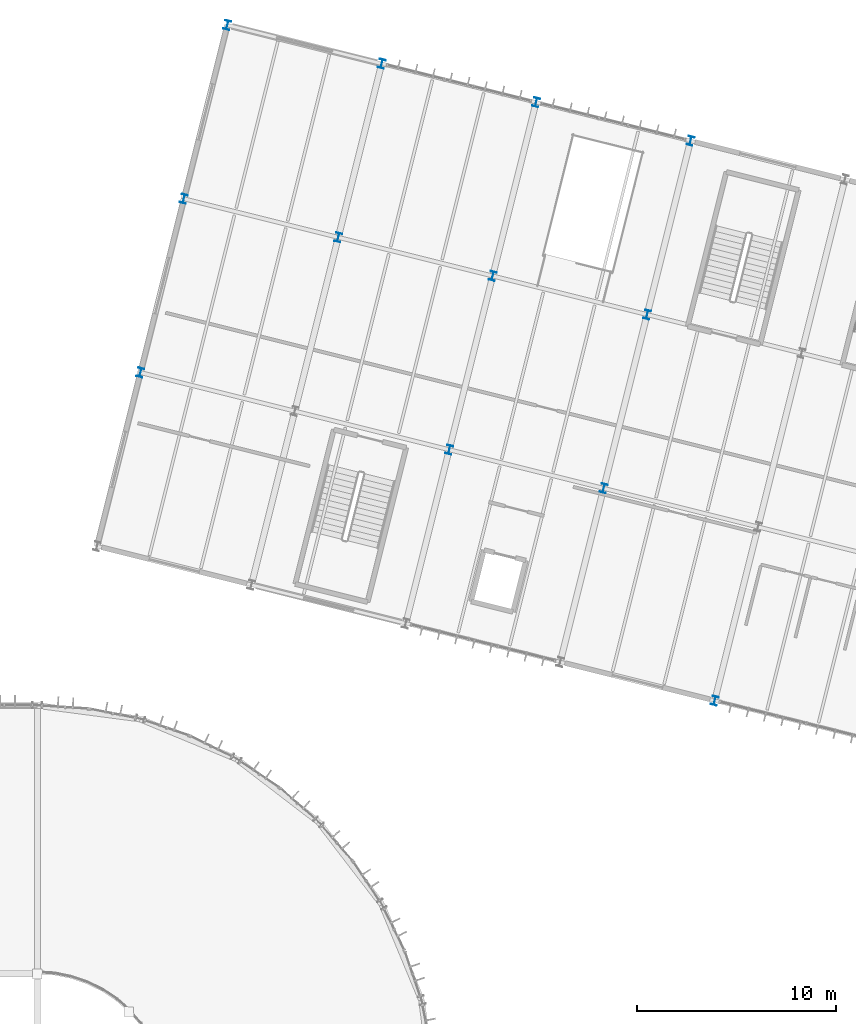
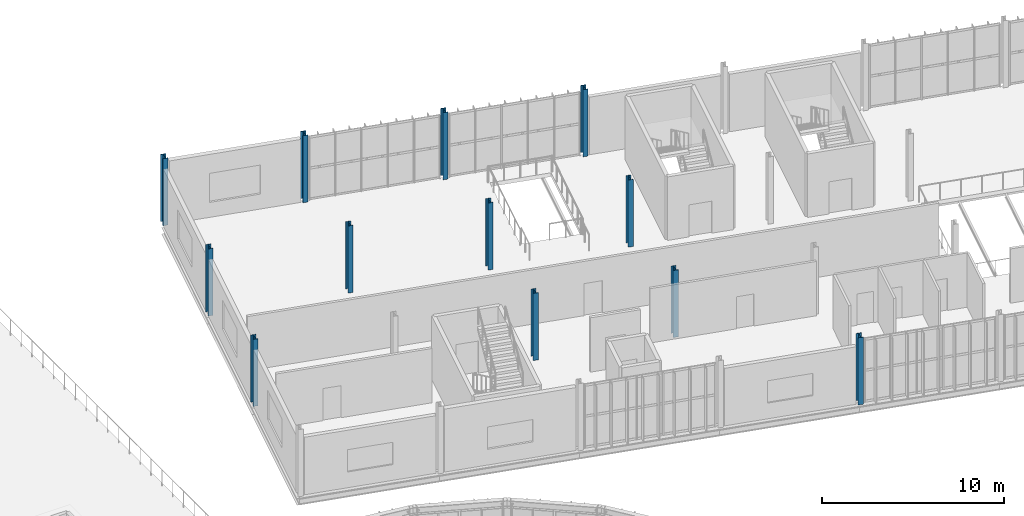
# One storey, part 9 of 152: 12 columns.
"""IFC4 building model written with IfcOpenShell, lengths in metres."""

from ifc_helpers import new_model, si_unit, derived_unit, direction, frame, origin, origin_2d, place, context, subcontext, project, spatial, i_section, extrude, material, material_profile, profile_set, type_object, element, save


model = new_model("IFC4")

# Units and contexts
model_context = context("Model", 3, precision=1e-05, world=origin(), true_north=direction((0.0, 1.0)))
body_context = subcontext(model_context, "Body", "Model", "MODEL_VIEW")
ifc_project = project(units=[si_unit("LENGTHUNIT", "METRE"), si_unit("AREAUNIT", "SQUARE_METRE"), si_unit("VOLUMEUNIT", "CUBIC_METRE"), si_unit("PLANEANGLEUNIT", "RADIAN"), si_unit("MASSUNIT", "GRAM", prefix="KILO"), si_unit("THERMODYNAMICTEMPERATUREUNIT", "KELVIN"), si_unit("TIMEUNIT", "SECOND"), derived_unit("THERMALTRANSMITTANCEUNIT", [(si_unit("MASSUNIT", "GRAM", prefix="KILO"), 1), (si_unit("THERMODYNAMICTEMPERATUREUNIT", "KELVIN"), -1), (si_unit("TIMEUNIT", "SECOND"), -3)])], contexts=[model_context])

# Site, building, storey
site_placement = place(None, origin())
site = spatial("IfcSite", under=ifc_project, at=site_placement, CompositionType="ELEMENT")
building_placement = place(site_placement, origin())
building = spatial("IfcBuilding", under=site, at=building_placement, Name="Cambertide Market Hall", CompositionType="ELEMENT")
storey_placement = place(building_placement, frame((0.0, 0.0, 5.39990234375)))
storey = spatial("IfcBuildingStorey", under=building, at=storey_placement, Name="L02", CompositionType="ELEMENT", Elevation=5.39990234375)

# Columns
ifc_material_1 = material(Name="Steel S355", Category="steel")
ifc_material_profile_1 = material_profile(ifc_material_1, i_section(OverallWidth=0.300048828125, OverallDepth=0.449951171875, WebThickness=0.013916015625, FlangeThickness=0.02587890625, FilletRadius=0.027099609375, at=origin_2d()), Name="HEB 450")
ifc_profile_set_1 = profile_set([ifc_material_profile_1], Name="Steel S355")
column_type_1 = type_object("IfcColumnType", Name="Exterior Steel Column HEB 450", PredefinedType="COLUMN", material=ifc_profile_set_1)
for number, where, z_axis, x_axis, name in (
    (1, (110.182861328125, 108.731201171875, 0.0), (0.0, 0.0, 1.0), (0.970142500145, -0.242535625038, 0.0), "Level 2 Column COL-V4-1-2-L02"),
    (2, (112.36572265625, 117.462646484375, 0.0), (0.0, 0.0, 1.0), (0.970142500145, -0.242535625038, 0.0), "Level 2 Column COL-V4-1-3-L02"),
    (3, (114.548583984375, 126.19384765625, 0.0), (0.0, 0.0, 1.0), (0.970142500145, -0.242535625038, 0.0), "Level 2 Column COL-V4-1-4-L02"),
    (4, (122.3095703125, 124.253662109375, 0.0), (0.0, 0.0, 1.0), (0.970142500145, -0.242535625038, 0.0), "Level 2 Column COL-V4-2-4-L02"),
    (5, (130.07080078125, 122.313232421875, 0.0), (0.0, 0.0, 1.0), (0.970142500145, -0.242535625038, 0.0), "Level 2 Column COL-V4-3-4-L02"),
    (6, (137.831787109375, 120.373046875, 0.0), (0.0, 0.0, 1.0), (0.970142500145, -0.242535625038, 0.0), "Level 2 Column COL-V4-4-4-L02"),
    (7, (139.044677734375, 92.23876953125, 0.0), (0.0, 0.0, 1.0), (0.970142500145, -0.242535625038, 0.0), "Level 2 Column COL-V4-5-1-L02"),
):
    element("IfcColumn", number, at=place(storey_placement, frame(where, z_axis=z_axis, x_axis=x_axis)), inside=storey, type_object=column_type_1, Name=name, PredefinedType="COLUMN", context=body_context, shape_type="SweptSolid", body=[
        extrude(i_section(OverallWidth=0.300048828125, OverallDepth=0.449951171875, WebThickness=0.013916015625, FlangeThickness=0.02587890625, FilletRadius=0.027099609375, at=origin_2d()), origin(), (0.0, 0.0, 1.0), 4.5),
    ])
ifc_material_2 = material(Name="Steel S355", Category="steel")
ifc_material_profile_2 = material_profile(ifc_material_2, i_section(OverallWidth=0.300048828125, OverallDepth=0.449951171875, WebThickness=0.013916015625, FlangeThickness=0.02587890625, FilletRadius=0.027099609375, at=origin_2d()), Name="HEB 450")
ifc_profile_set_2 = profile_set([ifc_material_profile_2], Name="Steel S355")
column_type_2 = type_object("IfcColumnType", Name="Steel Column HEB 450", PredefinedType="COLUMN", material=ifc_profile_set_2)
for number, where, z_axis, x_axis, name in (
    (8, (120.126708984375, 115.522216796875, 0.0), (0.0, 0.0, 1.0), (0.970142500145, -0.242535625038, 0.0), "Level 2 Column COL-V4-2-3-L02"),
    (9, (125.705078125, 104.850830078125, 0.0), (0.0, 0.0, 1.0), (0.970142500145, -0.242535625038, 0.0), "Level 2 Column COL-V4-3-2-L02"),
    (10, (127.887939453125, 113.58203125, 0.0), (0.0, 0.0, 1.0), (0.970142500145, -0.242535625038, 0.0), "Level 2 Column COL-V4-3-3-L02"),
    (11, (133.46630859375, 102.910400390625, 0.0), (0.0, 0.0, 1.0), (0.970142500145, -0.242535625038, 0.0), "Level 2 Column COL-V4-4-2-L02"),
    (12, (135.649169921875, 111.6416015625, 0.0), (0.0, 0.0, 1.0), (0.970142500145, -0.242535625038, 0.0), "Level 2 Column COL-V4-4-3-L02"),
):
    element("IfcColumn", number, at=place(storey_placement, frame(where, z_axis=z_axis, x_axis=x_axis)), inside=storey, type_object=column_type_2, Name=name, PredefinedType="COLUMN", context=body_context, shape_type="SweptSolid", body=[
        extrude(i_section(OverallWidth=0.300048828125, OverallDepth=0.449951171875, WebThickness=0.013916015625, FlangeThickness=0.02587890625, FilletRadius=0.027099609375, at=origin_2d()), origin(), (0.0, 0.0, 1.0), 4.5),
    ])

save(model, "model.ifc")
